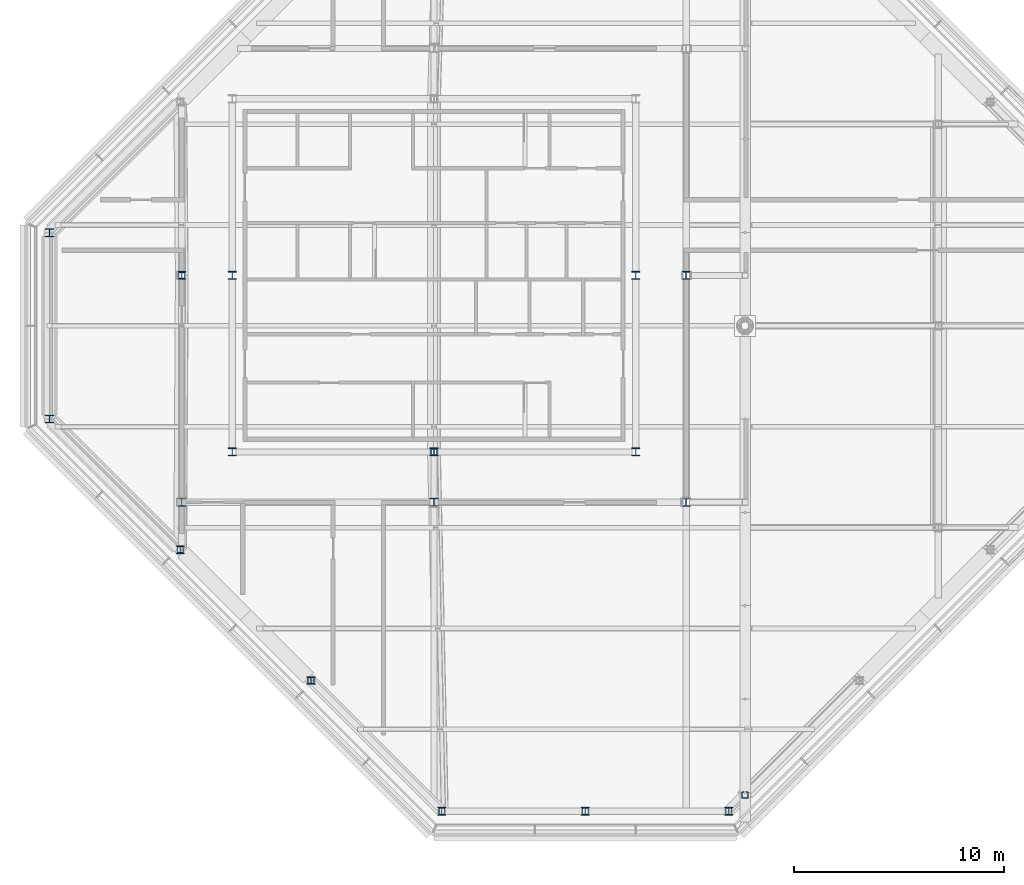
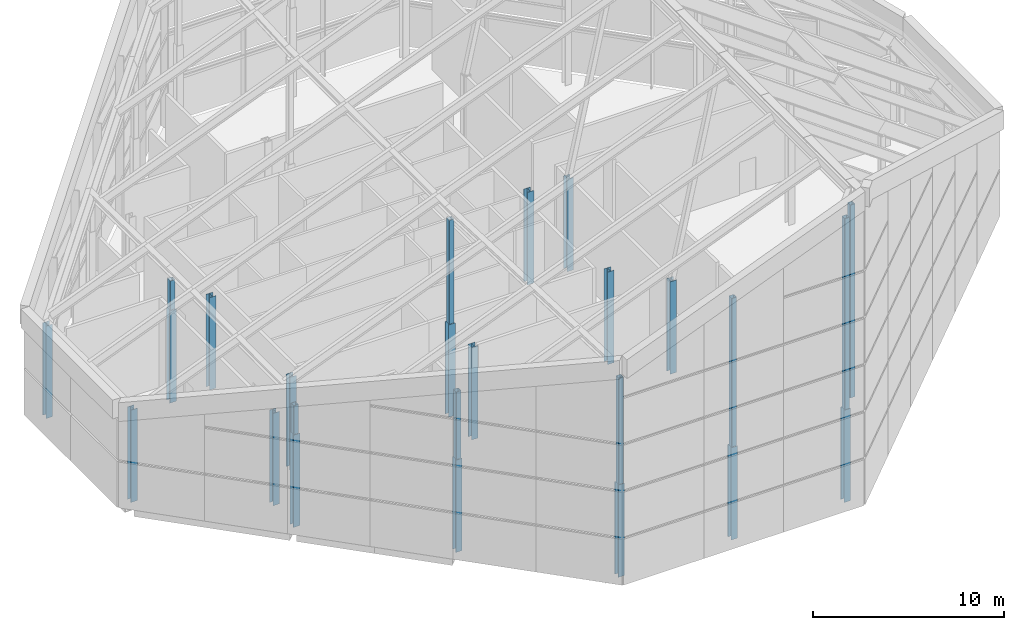
# One storey, part 1 of 21: 25 columns.
"""IFC4 building model written with IfcOpenShell, lengths in metres."""

from ifc_helpers import new_model, si_unit, direction, frame, origin, origin_2d, place, context, subcontext, project, spatial, hollow_rectangle, i_section, extrude, material, material_profile, profile_set, type_object, element, save


model = new_model("IFC4")

# Units and contexts
model_context = context("Model", 3, precision=1e-05, world=origin(), true_north=direction((0.0, 1.0)))
body_context = subcontext(model_context, "Body", "Model", "MODEL_VIEW")
ifc_project = project(units=[si_unit("LENGTHUNIT", "METRE"), si_unit("AREAUNIT", "SQUARE_METRE"), si_unit("VOLUMEUNIT", "CUBIC_METRE"), si_unit("PLANEANGLEUNIT", "RADIAN"), si_unit("MASSUNIT", "GRAM", prefix="KILO")], contexts=[model_context])

# Site, building, storey
site_placement = place(None, origin())
site = spatial("IfcSite", under=ifc_project, at=site_placement, CompositionType="ELEMENT")
building_placement = place(site_placement, origin())
building = spatial("IfcBuilding", under=site, at=building_placement, Name="Cairn Pilgrim Tower", CompositionType="ELEMENT")
storey_placement = place(building_placement, frame((0.0, 0.0, 295.800048828125)))
storey = spatial("IfcBuildingStorey", under=building, at=storey_placement, Name="L76", CompositionType="ELEMENT", Elevation=295.800048828125)

# Columns
ifc_material_1 = material(Name="Structural steel S460M", Category="steel")
ifc_material_profile_1 = material_profile(ifc_material_1, hollow_rectangle(XDim=0.300048828125, YDim=0.300048828125, WallThickness=0.01611328125, InnerFilletRadius=0.01611328125, OuterFilletRadius=0.02392578125, at=origin_2d()), Name="SHS 300x300x16")
ifc_profile_set_1 = profile_set([ifc_material_profile_1], Name="Structural steel S460M")
column_type_1 = type_object("IfcColumnType", Name="CROWN POST RHS 300x300x16", PredefinedType="COLUMN", material=ifc_profile_set_1)
column_1_placement = place(storey_placement, frame((7.57275390625, -23.10009765625, 5.699951171875), z_axis=(0.0, 0.0, 1.0), x_axis=(1.0, 0.0, 0.0)))
element("IfcColumn", 1, at=column_1_placement, inside=storey, type_object=column_type_1, Name="CROWN POST", PredefinedType="COLUMN", context=body_context, shape_type="SweptSolid", body=[
    extrude(hollow_rectangle(XDim=0.300048828125, YDim=0.300048828125, WallThickness=0.01611328125, InnerFilletRadius=0.01611328125, OuterFilletRadius=0.02392578125, at=origin_2d()), origin(), (0.0, 0.0, 1.0), 6.780517578125),
])
column_2_placement = place(storey_placement, frame((14.39990234375, -23.10009765625, 5.699951171875), z_axis=(0.0, 0.0, 1.0), x_axis=(1.0, 0.0, 0.0)))
element("IfcColumn", 2, at=column_2_placement, inside=storey, type_object=column_type_1, Name="CROWN POST", PredefinedType="COLUMN", context=body_context, shape_type="SweptSolid", body=[
    extrude(hollow_rectangle(XDim=0.300048828125, YDim=0.300048828125, WallThickness=0.01611328125, InnerFilletRadius=0.01611328125, OuterFilletRadius=0.02392578125, at=origin_2d()), origin(), (0.0, 0.0, 1.0), 9.4912109375),
])
column_3_placement = place(storey_placement, frame((21.227294921875, -23.10009765625, 5.699951171875), z_axis=(0.0, 0.0, 1.0), x_axis=(1.0, 0.0, 0.0)))
element("IfcColumn", 3, at=column_3_placement, inside=storey, type_object=column_type_1, Name="CROWN POST", PredefinedType="COLUMN", context=body_context, shape_type="SweptSolid", body=[
    extrude(hollow_rectangle(XDim=0.300048828125, YDim=0.300048828125, WallThickness=0.01611328125, InnerFilletRadius=0.01611328125, OuterFilletRadius=0.02392578125, at=origin_2d()), origin(), (0.0, 0.0, 1.0), 12.201904296875),
])
column_4_placement = place(storey_placement, frame((-4.875732421875, -10.651611328125, 5.699951171875), z_axis=(0.0, 0.0, 1.0), x_axis=(1.0, 0.0, 0.0)))
element("IfcColumn", 4, at=column_4_placement, inside=storey, type_object=column_type_1, Name="CROWN POST", PredefinedType="COLUMN", context=body_context, shape_type="SweptSolid", body=[
    extrude(hollow_rectangle(XDim=0.300048828125, YDim=0.300048828125, WallThickness=0.01611328125, InnerFilletRadius=0.01611328125, OuterFilletRadius=0.02392578125, at=origin_2d()), origin(), (0.0, 0.0, 1.0), 1.837646484375),
])
column_5_placement = place(storey_placement, frame((1.348388671875, -16.875732421875, 5.699951171875), z_axis=(0.0, 0.0, 1.0), x_axis=(1.0, 0.0, 0.0)))
element("IfcColumn", 5, at=column_5_placement, inside=storey, type_object=column_type_1, Name="CROWN POST", PredefinedType="COLUMN", context=body_context, shape_type="SweptSolid", body=[
    extrude(hollow_rectangle(XDim=0.300048828125, YDim=0.300048828125, WallThickness=0.01611328125, InnerFilletRadius=0.01611328125, OuterFilletRadius=0.02392578125, at=origin_2d()), origin(), (0.0, 0.0, 1.0), 4.30908203125),
])
column_6_placement = place(storey_placement, frame((-4.800048828125, 2.39990234375, 5.699951171875), z_axis=(0.0, 0.0, 1.0), x_axis=(1.0, 0.0, 0.0)))
element("IfcColumn", 6, at=column_6_placement, inside=storey, type_object=column_type_1, Name="CROWN POST", PredefinedType="COLUMN", context=body_context, shape_type="SweptSolid", body=[
    extrude(hollow_rectangle(XDim=0.300048828125, YDim=0.300048828125, WallThickness=0.01611328125, InnerFilletRadius=0.01611328125, OuterFilletRadius=0.02392578125, at=origin_2d()), origin(), (0.0, 0.0, 1.0), 1.86767578125),
])
column_7_placement = place(storey_placement, frame((7.199951171875, -6.0, 5.699951171875), z_axis=(0.0, 0.0, 1.0), x_axis=(1.0, 0.0, 0.0)))
element("IfcColumn", 7, at=column_7_placement, inside=storey, type_object=column_type_1, Name="CROWN POST", PredefinedType="COLUMN", context=body_context, shape_type="SweptSolid", body=[
    extrude(hollow_rectangle(XDim=0.300048828125, YDim=0.300048828125, WallThickness=0.01611328125, InnerFilletRadius=0.01611328125, OuterFilletRadius=0.02392578125, at=origin_2d()), origin(), (0.0, 0.0, 1.0), 6.63232421875),
])
ifc_material_profile_2 = material_profile(ifc_material_1, hollow_rectangle(XDim=0.300048828125, YDim=0.300048828125, WallThickness=0.01611328125, InnerFilletRadius=0.01611328125, OuterFilletRadius=0.02392578125, at=origin_2d()), Name="SHS 300x300x16")
ifc_profile_set_2 = profile_set([ifc_material_profile_2], Name="Structural steel S460M")
column_type_2 = type_object("IfcColumnType", Name="CROWN POST RHS 300x300x16 CPO1", PredefinedType="COLUMN", material=ifc_profile_set_2)
column_8_placement = place(storey_placement, frame((22.0, -22.3271484375, 5.699951171875), z_axis=(0.0, 0.0, 1.0), x_axis=(1.0, 0.0, 0.0)))
element("IfcColumn", 8, at=column_8_placement, inside=storey, type_object=column_type_2, Name="CROWN POST", PredefinedType="COLUMN", context=body_context, shape_type="SweptSolid", body=[
    extrude(hollow_rectangle(XDim=0.300048828125, YDim=0.300048828125, WallThickness=0.01611328125, InnerFilletRadius=0.01611328125, OuterFilletRadius=0.02392578125, at=origin_2d()), origin(), (0.0, 0.0, 1.0), 12.32275390625),
])
ifc_material_2 = material(Name="Structural steel S355J2", Category="steel")
ifc_material_profile_3 = material_profile(ifc_material_2, i_section(OverallWidth=0.39111328125, OverallDepth=0.367919921875, WebThickness=0.014892578125, FlangeThickness=0.02392578125, FilletRadius=0.014892578125, at=origin_2d()), Name="HD 400x187")
ifc_profile_set_3 = profile_set([ifc_material_profile_3], Name="Structural steel S355J2")
column_type_3 = type_object("IfcColumnType", Name="HD 400x187", PredefinedType="COLUMN", material=ifc_profile_set_3)
for number, where, z_axis, x_axis, name in (
    (9, (7.57275390625, -23.10009765625, -0.199951171875), (0.0, 0.0, 1.0), (1.0, 0.0, 0.0), "PC4-S1"),
    (10, (14.39990234375, -23.10009765625, -0.199951171875), (0.0, 0.0, 1.0), (1.0, 0.0, 0.0), "PC4-S2"),
    (11, (21.227294921875, -23.10009765625, -0.199951171875), (0.0, 0.0, 1.0), (1.0, 0.0, 0.0), "PC4-SE1"),
    (12, (-11.10009765625, 4.42724609375, -0.199951171875), (0.0, 0.0, 1.0), (1.0, 0.0, 0.0), "PC4-W1"),
    (13, (-11.10009765625, -4.42724609375, -0.199951171875), (0.0, 0.0, 1.0), (1.0, 0.0, 0.0), "PC4-SW1"),
    (14, (-4.875732421875, -10.651611328125, -0.199951171875), (0.0, 0.0, 1.0), (1.0, 0.0, 0.0), "PC4-SW2"),
    (15, (1.348388671875, -16.875732421875, -0.199951171875), (0.0, 0.0, 1.0), (1.0, 0.0, 0.0), "PC4-SW3"),
):
    element("IfcColumn", number, at=place(storey_placement, frame(where, z_axis=z_axis, x_axis=x_axis)), inside=storey, type_object=column_type_3, Name=name, PredefinedType="COLUMN", context=body_context, shape_type="SweptSolid", body=[
        extrude(i_section(OverallWidth=0.39111328125, OverallDepth=0.367919921875, WebThickness=0.014892578125, FlangeThickness=0.02392578125, FilletRadius=0.014892578125, at=origin_2d()), origin(), (0.0, 0.0, 1.0), 5.89990234375),
    ])
ifc_material_profile_4 = material_profile(ifc_material_2, i_section(OverallWidth=0.39404296875, OverallDepth=0.375, WebThickness=0.017333984375, FlangeThickness=0.027587890625, FilletRadius=0.014892578125, at=origin_2d()), Name="HD 400x216")
ifc_profile_set_4 = profile_set([ifc_material_profile_4], Name="Structural steel S355J2")
column_type_4 = type_object("IfcColumnType", Name="HD 400x216", PredefinedType="COLUMN", material=ifc_profile_set_4)
for number, where, z_axis, x_axis, name in (
    (16, (-4.800048828125, -8.39990234375, -0.199951171875), (0.0, 0.0, 1.0), (1.0, 0.0, 0.0), "IC-1"),
    (17, (7.199951171875, -8.39990234375, -0.199951171875), (0.0, 0.0, 1.0), (1.0, 0.0, 0.0), "IC-2"),
    (18, (19.199951171875, -8.39990234375, -0.199951171875), (0.0, 0.0, 1.0), (1.0, 0.0, 0.0), "IC-3"),
    (19, (-4.800048828125, 2.39990234375, -0.199951171875), (0.0, 0.0, 1.0), (1.0, 0.0, 0.0), "IC-4"),
    (20, (19.199951171875, 2.39990234375, -0.199951171875), (0.0, 0.0, 1.0), (1.0, 0.0, 0.0), "IC-5"),
):
    element("IfcColumn", number, at=place(storey_placement, frame(where, z_axis=z_axis, x_axis=x_axis)), inside=storey, type_object=column_type_4, Name=name, PredefinedType="COLUMN", context=body_context, shape_type="SweptSolid", body=[
        extrude(i_section(OverallWidth=0.39404296875, OverallDepth=0.375, WebThickness=0.017333984375, FlangeThickness=0.027587890625, FilletRadius=0.014892578125, at=origin_2d()), origin(), (0.0, 0.0, 1.0), 5.89990234375),
    ])
ifc_material_profile_5 = material_profile(ifc_material_2, i_section(OverallWidth=0.39794921875, OverallDepth=0.386962890625, WebThickness=0.02099609375, FlangeThickness=0.033203125, FilletRadius=0.014892578125, at=origin_2d()), Name="HD 400x262")
ifc_profile_set_5 = profile_set([ifc_material_profile_5], Name="Structural steel S355J2")
column_type_5 = type_object("IfcColumnType", Name="HD 400x262", PredefinedType="COLUMN", material=ifc_profile_set_5)
for number, where, z_axis, x_axis, name in (
    (21, (-2.39990234375, -6.0, -0.199951171875), (0.0, 0.0, 1.0), (1.0, 0.0, 0.0), "KC-1"),
    (22, (7.199951171875, -6.0, -0.199951171875), (0.0, 0.0, 1.0), (1.0, 0.0, 0.0), "KC-2"),
    (23, (16.800048828125, -6.0, -0.199951171875), (0.0, 0.0, 1.0), (1.0, 0.0, 0.0), "KC-3"),
    (24, (-2.39990234375, 2.39990234375, -0.199951171875), (0.0, 0.0, 1.0), (1.0, 0.0, 0.0), "KC-4"),
    (25, (16.800048828125, 2.39990234375, -0.199951171875), (0.0, 0.0, 1.0), (1.0, 0.0, 0.0), "KC-5"),
):
    element("IfcColumn", number, at=place(storey_placement, frame(where, z_axis=z_axis, x_axis=x_axis)), inside=storey, type_object=column_type_5, Name=name, PredefinedType="COLUMN", context=body_context, shape_type="SweptSolid", body=[
        extrude(i_section(OverallWidth=0.39794921875, OverallDepth=0.386962890625, WebThickness=0.02099609375, FlangeThickness=0.033203125, FilletRadius=0.014892578125, at=origin_2d()), origin(), (0.0, 0.0, 1.0), 5.89990234375),
    ])

save(model, "model.ifc")
